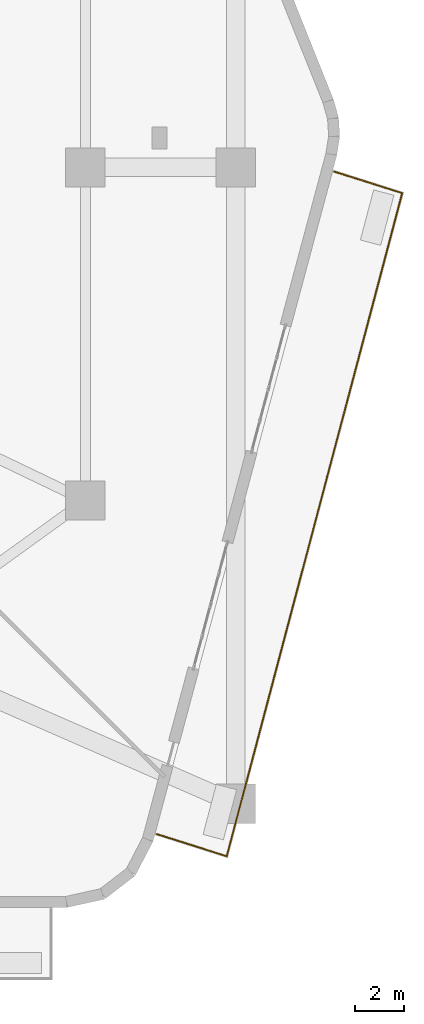
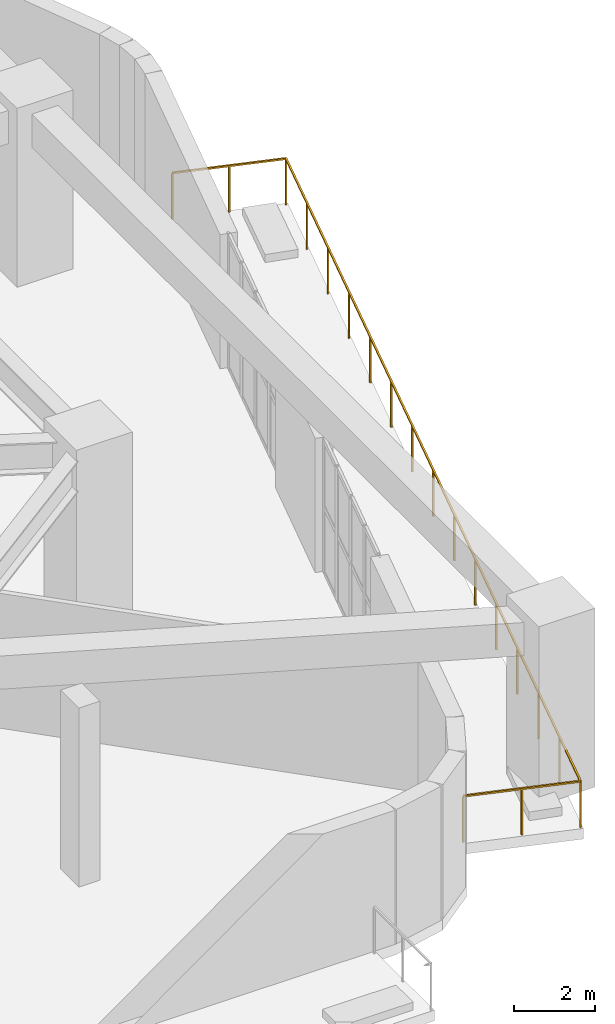
# One storey, part 33 of 34: 1 railing.
"""IFC4 building model written with IfcOpenShell, lengths in metres."""

from ifc_helpers import new_model, si_unit, direction, frame, origin, origin_2d, place, context, subcontext, project, spatial, rectangle, extrude, material, layer, layer_set, type_object, element, save


model = new_model("IFC4")

# Units and contexts
model_context = context("Model", 3, precision=1e-05, world=origin(), true_north=direction((0.0, 1.0)))
body_context = subcontext(model_context, "Body", "Model", "MODEL_VIEW")
ifc_project = project(units=[si_unit("LENGTHUNIT", "METRE"), si_unit("AREAUNIT", "SQUARE_METRE"), si_unit("VOLUMEUNIT", "CUBIC_METRE"), si_unit("PLANEANGLEUNIT", "RADIAN"), si_unit("MASSUNIT", "GRAM", prefix="KILO")], contexts=[model_context])

# Site, building, storey
site_placement = place(None, origin())
site = spatial("IfcSite", under=ifc_project, at=site_placement, CompositionType="ELEMENT")
building_placement = place(site_placement, origin())
building = spatial("IfcBuilding", under=site, at=building_placement, Name="Kilnhurst Terrace Hotel", CompositionType="ELEMENT")
storey_placement = place(building_placement, frame((0.0, 0.0, 6.0)))
storey = spatial("IfcBuildingStorey", under=building, at=storey_placement, Name="L01", CompositionType="ELEMENT", Elevation=6.0)

# Railing
ifc_material = material(Name="Laminated SentryGlas and Stainless Steel AISI 316L Balustrade", Category="steel")
ifc_layer = layer(ifc_material, 0.070068359375, Name="Laminated SentryGlas and Stainless Steel AISI 316L Balustrade")
ifc_layer_set = layer_set([ifc_layer], Name="Laminated SentryGlas and Stainless Steel AISI 316L Balustrade")
railing_type = type_object("IfcRailingType", Name="RLG-BAL-1420", PredefinedType="BALUSTRADE", material=ifc_layer_set)
railing_placement = place(storey_placement, frame((31.59521484375, -0.169921875, 0.0)))
element("IfcRailing", 1, at=railing_placement, inside=storey, type_object=railing_type, Name="L01 Exterior Terrace Guardrail TERR-2.1", PredefinedType="BALUSTRADE", context=body_context, shape_type="SweptSolid", body=[
    extrude(rectangle(XDim=0.048095703125, YDim=0.048095703125, at=origin_2d()), frame((0.0, 0.0, 1.39599609375), z_axis=(0.953283645865, -0.302076630222, 0.0), x_axis=(0.302076630222, 0.953283645865, 0.0)), (0.0, 0.0, 1.0), 2.879638671875),
    extrude(rectangle(XDim=0.048095703125, YDim=0.048095703125, at=origin_2d()), frame((2.7451171875, -0.869873046875, 1.39599609375), z_axis=(-0.255797244931, -0.966730453377, 0.0), x_axis=(0.966730453377, -0.255797244931, 0.0)), (0.0, 0.0, 1.0), 27.809326171875),
    extrude(rectangle(XDim=0.048095703125, YDim=0.048095703125, at=origin_2d()), frame((-4.368408203125, -27.75390625, 1.39599609375), z_axis=(-0.953262442388, 0.302143535314, 0.0), x_axis=(-0.302143535314, -0.953262442388, 0.0)), (0.0, 0.0, 1.0), 2.96630859375),
    extrude(rectangle(XDim=0.0419921875, YDim=0.0419921875, at=origin_2d()), origin(), (0.0, 0.0, 1.0), 1.371826171875),
    extrude(rectangle(XDim=0.0419921875, YDim=0.0419921875, at=origin_2d()), frame((1.37255859375, -0.43505859375, 0.0)), (0.0, 0.0, 1.0), 1.371826171875),
    extrude(rectangle(XDim=0.0419921875, YDim=0.0419921875, at=origin_2d()), frame((2.7451171875, -0.869873046875, 0.0)), (0.0, 0.0, 1.0), 1.371826171875),
    extrude(rectangle(XDim=0.0419921875, YDim=0.0419921875, at=origin_2d()), frame((2.237060546875, -2.7900390625, 0.0)), (0.0, 0.0, 1.0), 1.371826171875),
    extrude(rectangle(XDim=0.0419921875, YDim=0.0419921875, at=origin_2d()), frame((1.72900390625, -4.71044921875, 0.0)), (0.0, 0.0, 1.0), 1.371826171875),
    extrude(rectangle(XDim=0.0419921875, YDim=0.0419921875, at=origin_2d()), frame((1.220703125, -6.630859375, 0.0)), (0.0, 0.0, 1.0), 1.371826171875),
    extrude(rectangle(XDim=0.0419921875, YDim=0.0419921875, at=origin_2d()), frame((0.712646484375, -8.551025390625, 0.0)), (0.0, 0.0, 1.0), 1.371826171875),
    extrude(rectangle(XDim=0.0419921875, YDim=0.0419921875, at=origin_2d()), frame((0.20458984375, -10.47119140625, 0.0)), (0.0, 0.0, 1.0), 1.371826171875),
    extrude(rectangle(XDim=0.0419921875, YDim=0.0419921875, at=origin_2d()), frame((-0.303466796875, -12.3916015625, 0.0)), (0.0, 0.0, 1.0), 1.371826171875),
    extrude(rectangle(XDim=0.0419921875, YDim=0.0419921875, at=origin_2d()), frame((-0.8115234375, -14.31201171875, 0.0)), (0.0, 0.0, 1.0), 1.371826171875),
    extrude(rectangle(XDim=0.0419921875, YDim=0.0419921875, at=origin_2d()), frame((-1.31982421875, -16.232177734375, 0.0)), (0.0, 0.0, 1.0), 1.371826171875),
    extrude(rectangle(XDim=0.0419921875, YDim=0.0419921875, at=origin_2d()), frame((-1.827880859375, -18.15234375, 0.0)), (0.0, 0.0, 1.0), 1.371826171875),
    extrude(rectangle(XDim=0.0419921875, YDim=0.0419921875, at=origin_2d()), frame((-2.3359375, -20.07275390625, 0.0)), (0.0, 0.0, 1.0), 1.371826171875),
    extrude(rectangle(XDim=0.0419921875, YDim=0.0419921875, at=origin_2d()), frame((-2.843994140625, -21.9931640625, 0.0)), (0.0, 0.0, 1.0), 1.371826171875),
    extrude(rectangle(XDim=0.0419921875, YDim=0.0419921875, at=origin_2d()), frame((-3.352294921875, -23.913330078125, 0.0)), (0.0, 0.0, 1.0), 1.371826171875),
    extrude(rectangle(XDim=0.0419921875, YDim=0.0419921875, at=origin_2d()), frame((-3.8603515625, -25.83349609375, 0.0)), (0.0, 0.0, 1.0), 1.371826171875),
    extrude(rectangle(XDim=0.0419921875, YDim=0.0419921875, at=origin_2d()), frame((-4.368408203125, -27.75390625, 0.0)), (0.0, 0.0, 1.0), 1.371826171875),
    extrude(rectangle(XDim=0.0419921875, YDim=0.0419921875, at=origin_2d()), frame((-5.7822265625, -27.3056640625, 0.0)), (0.0, 0.0, 1.0), 1.371826171875),
    extrude(rectangle(XDim=0.0419921875, YDim=0.0419921875, at=origin_2d()), frame((-7.196044921875, -26.857666015625, 0.0)), (0.0, 0.0, 1.0), 1.371826171875),
])

save(model, "model.ifc")
